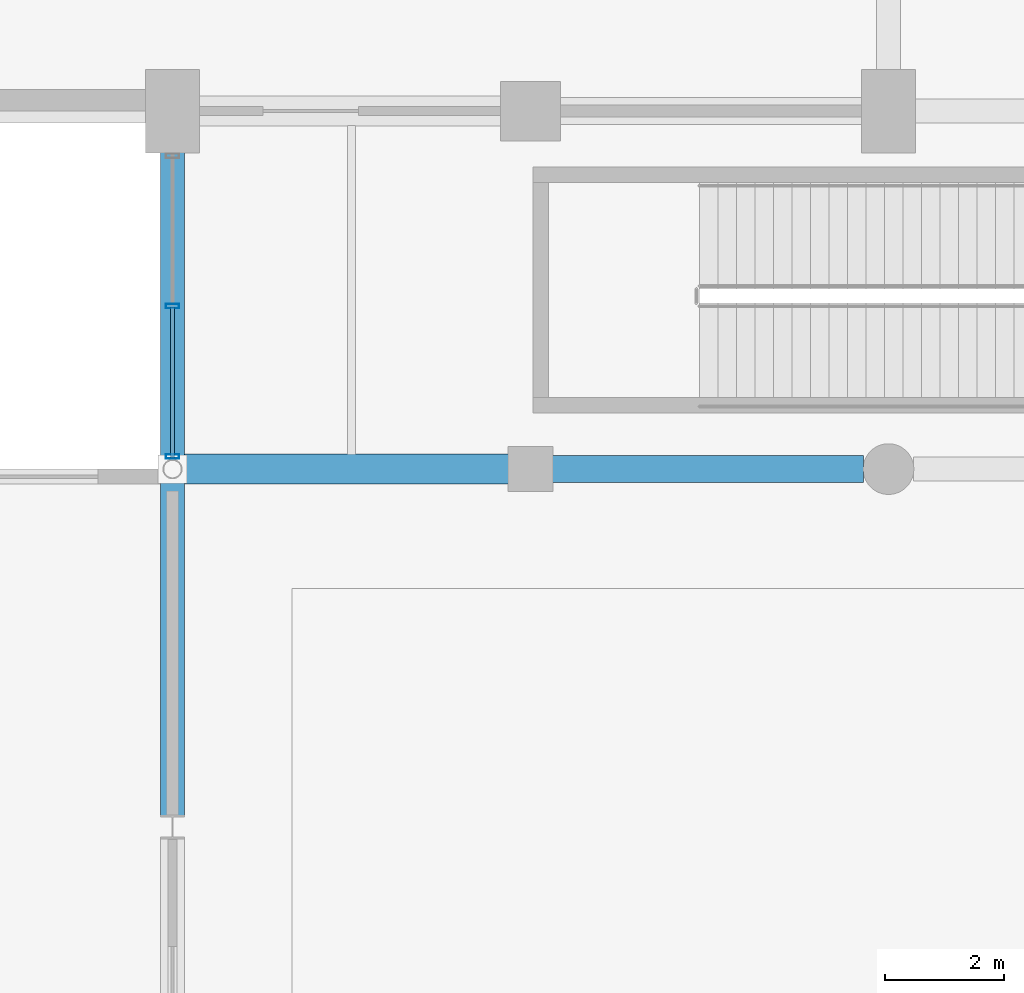
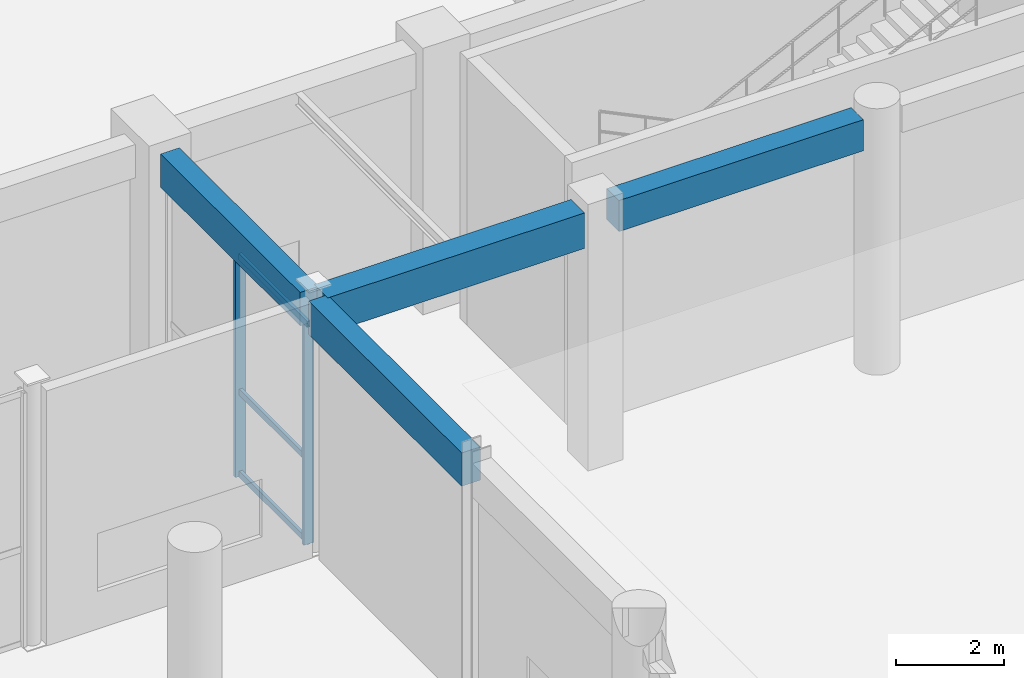
# One storey, part 28 of 106: 5 members, 4 beams, 1 element without a shape of its own.
"""IFC4 building model written with IfcOpenShell, lengths in metres."""

from ifc_helpers import new_model, si_unit, direction, frame, origin, origin_2d, place, context, subcontext, project, spatial, rectangle, hollow_rectangle, extrude, material, material_profile, profile_set, type_object, element, aggregate, save


model = new_model("IFC4")

# Units and contexts
model_context = context("Model", 3, precision=1e-05, world=origin(), true_north=direction((0.0, 1.0)))
body_context = subcontext(model_context, "Body", "Model", "MODEL_VIEW")
ifc_project = project(units=[si_unit("LENGTHUNIT", "METRE"), si_unit("AREAUNIT", "SQUARE_METRE"), si_unit("VOLUMEUNIT", "CUBIC_METRE"), si_unit("PLANEANGLEUNIT", "RADIAN"), si_unit("MASSUNIT", "GRAM", prefix="KILO"), si_unit("THERMODYNAMICTEMPERATUREUNIT", "KELVIN"), si_unit("POWERUNIT", "WATT")], contexts=[model_context])

# Site, building, storey
site_placement = place(None, origin())
site = spatial("IfcSite", under=ifc_project, at=site_placement, CompositionType="ELEMENT")
building_placement = place(site_placement, origin())
building = spatial("IfcBuilding", under=site, at=building_placement, Name="Phaisarnlok Congress Hotel", CompositionType="ELEMENT")
storey_placement = place(building_placement, origin())
storey = spatial("IfcBuildingStorey", under=building, at=storey_placement, Name="L00", CompositionType="ELEMENT", Elevation=0.0)

# Beams
ifc_material_1 = material(Name="Concrete C40/50", Category="concrete")
ifc_material_profile_1 = material_profile(ifc_material_1, rectangle(XDim=0.449951171875, YDim=0.699951171875, at=origin_2d()), Name="RC 450x700")
ifc_profile_set_1 = profile_set([ifc_material_profile_1], Name="Concrete C40/50")
beam_type_1 = type_object("IfcBeamType", Name="BM-RC-450x700", PredefinedType="BEAM", material=ifc_profile_set_1)
beam_1_placement = place(storey_placement, frame((60.3701171875, 36.0, 5.389892578125), z_axis=(1.0, 0.0, 0.0), x_axis=(0.0, 1.0, 0.0)))
element("IfcBeam", 1, at=beam_1_placement, inside=storey, type_object=beam_type_1, Name="Beam B-03", PredefinedType="BEAM", context=body_context, shape_type="SweptSolid", body=[
    extrude(rectangle(XDim=0.449951171875, YDim=0.699951171875, at=origin_2d()), origin(), (0.0, 0.0, 1.0), 5.2099609375),
])
ifc_material_profile_2 = material_profile(ifc_material_1, rectangle(XDim=0.5, YDim=0.800048828125, at=origin_2d()), Name="RC 500x800")
ifc_profile_set_2 = profile_set([ifc_material_profile_2], Name="Concrete C40/50")
beam_type_2 = type_object("IfcBeamType", Name="BM-RC-500x800", PredefinedType="BEAM", material=ifc_profile_set_2)
beam_2_placement = place(storey_placement, frame((54.156982421875, 36.0, 5.340087890625), z_axis=(1.0, 0.0, 0.0), x_axis=(0.0, 1.0, 0.0)))
element("IfcBeam", 2, at=beam_2_placement, inside=storey, type_object=beam_type_2, Name="Beam B-04", PredefinedType="BEAM", context=body_context, shape_type="SweptSolid", body=[
    extrude(rectangle(XDim=0.5, YDim=0.800048828125, at=origin_2d()), origin(), (0.0, 0.0, 1.0), 5.472900390625),
])

# Curtain wall, members
ifc_material_2 = material(Name="Thermally Broken Unitised Aluminium & Low-E Glazing", Category="aluminium")
curtain_wall_type = type_object("IfcCurtainWallType", Name="CW-UNIT-06", PredefinedType="NOTDEFINED", material=ifc_material_2)
curtain_wall_placement = place(storey_placement, origin())
curtain_wall = element("IfcCurtainWall", 3, at=curtain_wall_placement, inside=storey, type_object=curtain_wall_type, Name="Unitised curtain wall CW-06 (L00)", PredefinedType="NOTDEFINED")
ifc_material_3 = material(Name="Anodised Aluminium Alloy 6063-T6", Category="aluminium")
ifc_material_profile_3 = material_profile(ifc_material_3, hollow_rectangle(XDim=0.074951171875, YDim=0.219970703125, WallThickness=0.0048828125, at=origin_2d()), Name="ALU-M 75x220x5")
ifc_profile_set_3 = profile_set([ifc_material_profile_3], Name="Anodised Aluminium Alloy 6063-T6")
member_type_1 = type_object("IfcMemberType", Name="CWM-220", PredefinedType="MULLION", material=ifc_profile_set_3)
member_1_placement = place(storey_placement, frame((54.0, 38.73095703125, 0.0), z_axis=(0.0, 0.0, 1.0), x_axis=(0.0, -1.0, 0.0)))
member_1 = element("IfcMember", 4, at=member_1_placement, type_object=member_type_1, Name="Curtain wall mullion CWM-02", PredefinedType="MULLION", context=body_context, shape_type="SweptSolid", body=[
    extrude(hollow_rectangle(XDim=0.074951171875, YDim=0.219970703125, WallThickness=0.0048828125, at=origin_2d()), origin(), (0.0, 0.0, 1.0), 4.989990234375),
])
member_2_placement = place(storey_placement, frame((54.0, 36.2119140625, 0.0), z_axis=(0.0, 0.0, 1.0), x_axis=(0.0, -1.0, 0.0)))
member_2 = element("IfcMember", 5, at=member_2_placement, type_object=member_type_1, Name="Curtain wall mullion CWM-02", PredefinedType="MULLION", context=body_context, shape_type="SweptSolid", body=[
    extrude(hollow_rectangle(XDim=0.074951171875, YDim=0.219970703125, WallThickness=0.0048828125, at=origin_2d()), origin(), (0.0, 0.0, 1.0), 4.989990234375),
])
ifc_material_profile_4 = material_profile(ifc_material_3, hollow_rectangle(XDim=0.06494140625, YDim=0.139892578125, WallThickness=0.00390625, at=origin_2d()), Name="ALU-T 65x140x4")
ifc_profile_set_4 = profile_set([ifc_material_profile_4], Name="Anodised Aluminium Alloy 6063-T6")
member_type_2 = type_object("IfcMemberType", Name="CWT-150", PredefinedType="USERDEFINED", material=ifc_profile_set_4)
member_3_placement = place(storey_placement, frame((54.0, 38.7158203125, 0.050048828125), z_axis=(0.0, -1.0, 0.0), x_axis=(1.0, 0.0, 0.0)))
member_3 = element("IfcMember", 6, at=member_3_placement, type_object=member_type_2, Name="Curtain wall transom CWT-01", ObjectType="TRANSOM", PredefinedType="USERDEFINED", context=body_context, shape_type="SweptSolid", body=[
    extrude(hollow_rectangle(XDim=0.06494140625, YDim=0.139892578125, WallThickness=0.00390625, at=origin_2d()), origin(), (0.0, 0.0, 1.0), 2.52880859375),
])
member_4_placement = place(storey_placement, frame((54.0, 38.7158203125, 1.896240234375), z_axis=(0.0, -1.0, 0.0), x_axis=(1.0, 0.0, 0.0)))
member_4 = element("IfcMember", 7, at=member_4_placement, type_object=member_type_2, Name="Curtain wall transom CWT-01", ObjectType="TRANSOM", PredefinedType="USERDEFINED", context=body_context, shape_type="SweptSolid", body=[
    extrude(hollow_rectangle(XDim=0.06494140625, YDim=0.139892578125, WallThickness=0.00390625, at=origin_2d()), origin(), (0.0, 0.0, 1.0), 2.52880859375),
])
member_5_placement = place(storey_placement, frame((54.0, 38.7158203125, 4.93994140625), z_axis=(0.0, -1.0, 0.0), x_axis=(1.0, 0.0, 0.0)))
member_5 = element("IfcMember", 8, at=member_5_placement, type_object=member_type_2, Name="Curtain wall transom CWT-01", ObjectType="TRANSOM", PredefinedType="USERDEFINED", context=body_context, shape_type="SweptSolid", body=[
    extrude(hollow_rectangle(XDim=0.06494140625, YDim=0.139892578125, WallThickness=0.00390625, at=origin_2d()), origin(), (0.0, 0.0, 1.0), 2.52880859375),
])
aggregate(curtain_wall, [member_1, member_2, member_3, member_4, member_5])

# Beams
ifc_material_profile_5 = material_profile(ifc_material_1, rectangle(XDim=0.39990234375, YDim=0.75, at=origin_2d()), Name="RC 400x750")
ifc_profile_set_5 = profile_set([ifc_material_profile_5], Name="Concrete C40/50")
beam_type_3 = type_object("IfcBeamType", Name="SP-RC-400x750", PredefinedType="SPANDREL", material=ifc_profile_set_5)
beam_3_placement = place(storey_placement, frame((54.0, 30.194580078125, 5.364990234375), z_axis=(0.0, 1.0, 0.0), x_axis=(-1.0, 0.0, 0.0)))
element("IfcBeam", 9, at=beam_3_placement, inside=storey, type_object=beam_type_3, Name="Beam SP-02", PredefinedType="SPANDREL", context=body_context, shape_type="SweptSolid", body=[
    extrude(rectangle(XDim=0.39990234375, YDim=0.75, at=origin_2d()), origin(), (0.0, 0.0, 1.0), 5.6484375),
])
beam_4_placement = place(storey_placement, frame((54.0, 36.156982421875, 5.364990234375), z_axis=(0.0, 1.0, 0.0), x_axis=(-1.0, 0.0, 0.0)))
element("IfcBeam", 10, at=beam_4_placement, inside=storey, type_object=beam_type_3, Name="Beam SP-02", PredefinedType="SPANDREL", context=body_context, shape_type="SweptSolid", body=[
    extrude(rectangle(XDim=0.39990234375, YDim=0.75, at=origin_2d()), origin(), (0.0, 0.0, 1.0), 5.14794921875),
])

save(model, "model.ifc")
